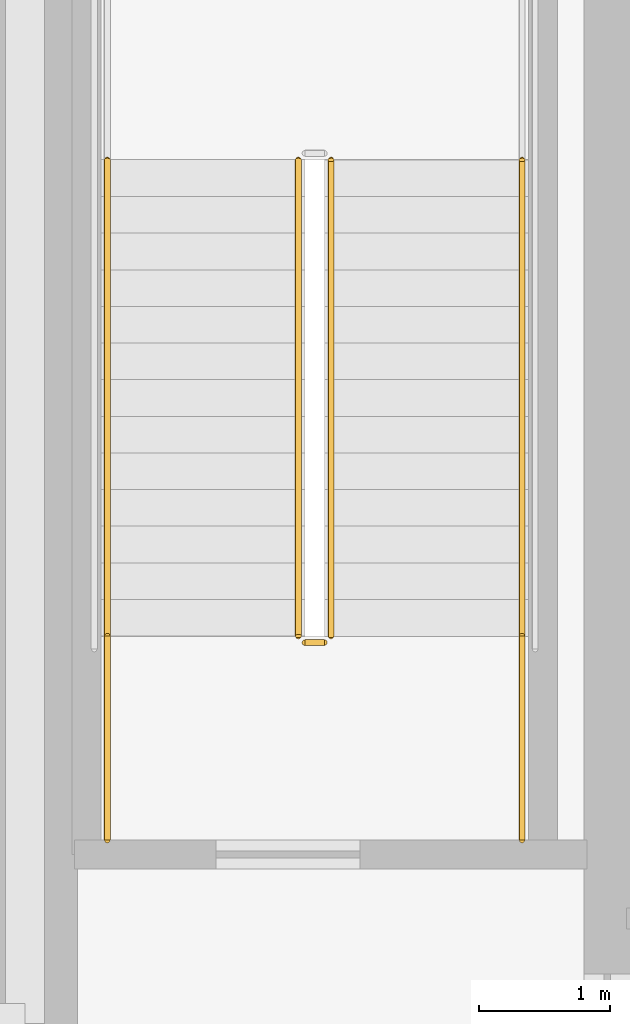
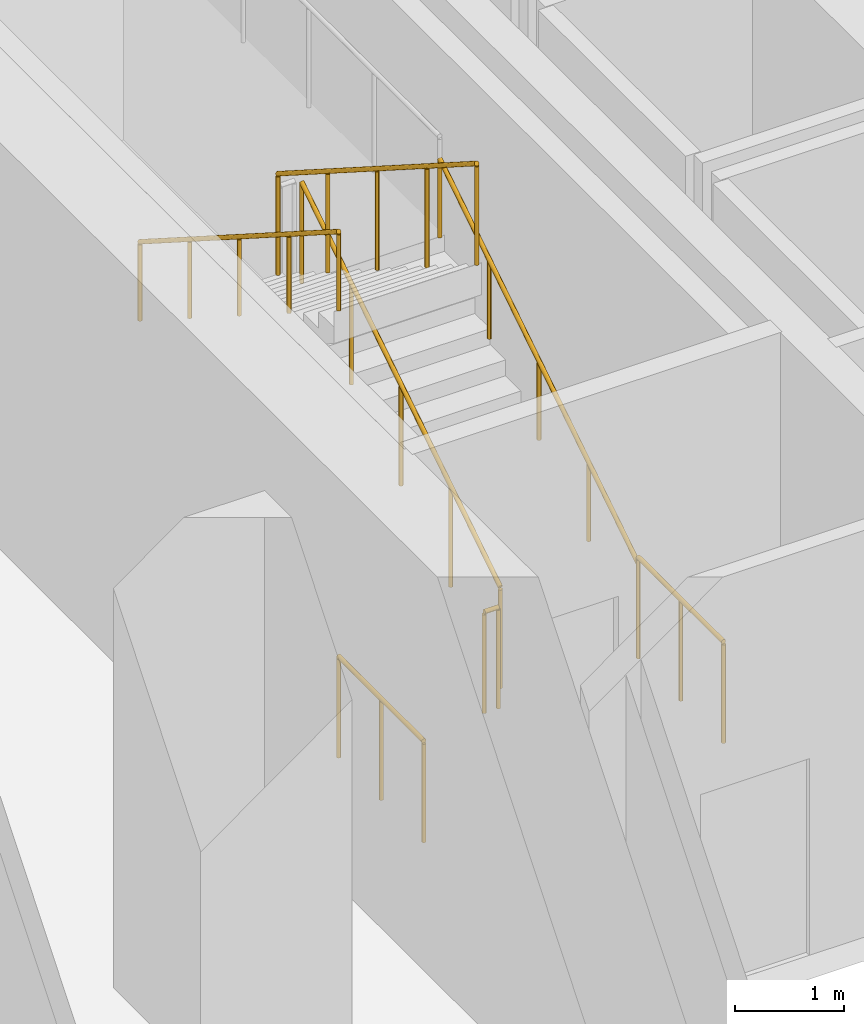
# One storey, part 24 of 32: 7 railings.
"""IFC4 building model written with IfcOpenShell, lengths in metres."""

from ifc_helpers import new_model, si_unit, direction, frame, origin, origin_2d, place, context, subcontext, project, spatial, circle, extrude, material, type_object, element, save


model = new_model("IFC4")

# Units and contexts
model_context = context("Model", 3, precision=1e-05, world=origin(), true_north=direction((0.0, 1.0)))
body_context = subcontext(model_context, "Body", "Model", "MODEL_VIEW")
ifc_project = project(units=[si_unit("LENGTHUNIT", "METRE"), si_unit("AREAUNIT", "SQUARE_METRE"), si_unit("VOLUMEUNIT", "CUBIC_METRE"), si_unit("PLANEANGLEUNIT", "RADIAN"), si_unit("MASSUNIT", "GRAM", prefix="KILO")], contexts=[model_context])

# Site, building, storey
site_placement = place(None, origin())
site = spatial("IfcSite", under=ifc_project, at=site_placement, CompositionType="ELEMENT")
building_placement = place(site_placement, origin())
building = spatial("IfcBuilding", under=site, at=building_placement, Name="Khairoan Windgate Tower", CompositionType="ELEMENT")
storey_placement = place(building_placement, frame((0.0, 0.0, 16.0)))
storey = spatial("IfcBuildingStorey", under=building, at=storey_placement, Name="L04", CompositionType="ELEMENT", Elevation=16.0)

# Railings
ifc_material_1 = material(Name="Anodised Bronze Aluminium 6063-T6", Category="aluminium")
railing_type_1 = type_object("IfcRailingType", Name="Stair Wall Handrail SHR-900", PredefinedType="HANDRAIL", material=ifc_material_1)
railing_1_placement = place(storey_placement, frame((-16.199951171875, 2.9599609375, 0.178466796875)))
element("IfcRailing", 1, at=railing_1_placement, inside=storey, type_object=railing_type_1, Name="L04 ST2 stair handrail 1", PredefinedType="HANDRAIL", context=body_context, shape_type="SweptSolid", body=[
    extrude(circle(Radius=0.02392578125, at=origin_2d()), frame((0.0, 0.0, 0.8759765625), z_axis=(0.0, 0.843127859045, 0.537713132908), x_axis=(-1.0, 0.0, 0.0)), (0.0, 0.0, 1.0), 4.3173828125),
    extrude(circle(Radius=0.02099609375, at=origin_2d()), origin(), (0.0, 0.0, 1.0), 0.851806640625),
    extrude(circle(Radius=0.02099609375, at=origin_2d()), frame((0.0, 0.91015625, 0.580322265625)), (0.0, 0.0, 1.0), 0.851806640625),
    extrude(circle(Radius=0.02099609375, at=origin_2d()), frame((0.0, 1.820068359375, 1.16064453125)), (0.0, 0.0, 1.0), 0.851806640625),
    extrude(circle(Radius=0.02099609375, at=origin_2d()), frame((0.0, 2.72998046875, 1.7412109375)), (0.0, 0.0, 1.0), 0.851806640625),
    extrude(circle(Radius=0.02099609375, at=origin_2d()), frame((0.0, 3.64013671875, 2.321533203125)), (0.0, 0.0, 1.0), 0.851806640625),
])
railing_2_placement = place(storey_placement, frame((-19.3701171875, 6.60009765625, 2.678466796875)))
element("IfcRailing", 2, at=railing_2_placement, inside=storey, type_object=railing_type_1, Name="L04 ST2 stair handrail 2", PredefinedType="HANDRAIL", context=body_context, shape_type="SweptSolid", body=[
    extrude(circle(Radius=0.02392578125, at=origin_2d()), frame((0.0, 0.0, 0.8759765625), z_axis=(0.0, -0.843127859045, 0.537713132908), x_axis=(1.0, 0.0, 0.0)), (0.0, 0.0, 1.0), 4.3173828125),
    extrude(circle(Radius=0.02099609375, at=origin_2d()), origin(), (0.0, 0.0, 1.0), 0.851806640625),
    extrude(circle(Radius=0.02099609375, at=origin_2d()), frame((0.0, -0.91015625, 0.580322265625)), (0.0, 0.0, 1.0), 0.851806640625),
    extrude(circle(Radius=0.02099609375, at=origin_2d()), frame((0.0, -1.820068359375, 1.16064453125)), (0.0, 0.0, 1.0), 0.851806640625),
    extrude(circle(Radius=0.02099609375, at=origin_2d()), frame((0.0, -2.72998046875, 1.7412109375)), (0.0, 0.0, 1.0), 0.851806640625),
    extrude(circle(Radius=0.02099609375, at=origin_2d()), frame((0.0, -3.64013671875, 2.321533203125)), (0.0, 0.0, 1.0), 0.851806640625),
])
ifc_material_2 = material(Name="Steel S355", Category="steel")
railing_type_2 = type_object("IfcRailingType", Name="Stairwell Safety Guardrail SGR-1150", PredefinedType="GUARDRAIL", material=ifc_material_2)
railing_3_placement = place(storey_placement, frame((-17.659912109375, 2.9599609375, 0.178466796875)))
element("IfcRailing", 3, at=railing_3_placement, inside=storey, type_object=railing_type_2, Name="L04 ST2 stair guard 1", PredefinedType="GUARDRAIL", context=body_context, shape_type="SweptSolid", body=[
    extrude(circle(Radius=0.02392578125, at=origin_2d()), frame((0.0, 0.0, 1.1259765625), z_axis=(0.0, 0.843127859045, 0.537713132908), x_axis=(-1.0, 0.0, 0.0)), (0.0, 0.0, 1.0), 4.3173828125),
    extrude(circle(Radius=0.02099609375, at=origin_2d()), origin(), (0.0, 0.0, 1.0), 1.101806640625),
    extrude(circle(Radius=0.02099609375, at=origin_2d()), frame((0.0, 0.91015625, 0.580322265625)), (0.0, 0.0, 1.0), 1.101806640625),
    extrude(circle(Radius=0.02099609375, at=origin_2d()), frame((0.0, 1.820068359375, 1.16064453125)), (0.0, 0.0, 1.0), 1.101806640625),
    extrude(circle(Radius=0.02099609375, at=origin_2d()), frame((0.0, 2.72998046875, 1.7412109375)), (0.0, 0.0, 1.0), 1.101806640625),
    extrude(circle(Radius=0.02099609375, at=origin_2d()), frame((0.0, 3.64013671875, 2.321533203125)), (0.0, 0.0, 1.0), 1.101806640625),
])
railing_4_placement = place(storey_placement, frame((-17.909912109375, 6.60009765625, 2.678466796875)))
element("IfcRailing", 4, at=railing_4_placement, inside=storey, type_object=railing_type_2, Name="L04 ST2 stair guard 6", PredefinedType="GUARDRAIL", context=body_context, shape_type="SweptSolid", body=[
    extrude(circle(Radius=0.02392578125, at=origin_2d()), frame((0.0, 0.0, 1.1259765625), z_axis=(0.0, -0.843127859045, 0.537713132908), x_axis=(1.0, 0.0, 0.0)), (0.0, 0.0, 1.0), 4.3173828125),
    extrude(circle(Radius=0.02099609375, at=origin_2d()), origin(), (0.0, 0.0, 1.0), 1.101806640625),
    extrude(circle(Radius=0.02099609375, at=origin_2d()), frame((0.0, -0.91015625, 0.580322265625)), (0.0, 0.0, 1.0), 1.101806640625),
    extrude(circle(Radius=0.02099609375, at=origin_2d()), frame((0.0, -1.820068359375, 1.16064453125)), (0.0, 0.0, 1.0), 1.101806640625),
    extrude(circle(Radius=0.02099609375, at=origin_2d()), frame((0.0, -2.72998046875, 1.7412109375)), (0.0, 0.0, 1.0), 1.101806640625),
    extrude(circle(Radius=0.02099609375, at=origin_2d()), frame((0.0, -3.64013671875, 2.321533203125)), (0.0, 0.0, 1.0), 1.101806640625),
])
railing_5_placement = place(storey_placement, frame((-17.7099609375, 2.909912109375, 0.0)))
element("IfcRailing", 5, at=railing_5_placement, inside=storey, type_object=railing_type_2, Name="L04 ST2 stair guard 7", PredefinedType="GUARDRAIL", context=body_context, shape_type="SweptSolid", body=[
    extrude(circle(Radius=0.02392578125, at=origin_2d()), frame((0.0, 0.0, 1.1259765625), z_axis=(-1.0, 0.0, 0.0), x_axis=(0.0, -1.0, 0.0)), (0.0, 0.0, 1.0), 0.150146484375),
    extrude(circle(Radius=0.02099609375, at=origin_2d()), origin(), (0.0, 0.0, 1.0), 1.101806640625),
    extrude(circle(Radius=0.02099609375, at=origin_2d()), frame((-0.150146484375, 0.0, 0.0)), (0.0, 0.0, 1.0), 1.101806640625),
])
for number, where, name in (
    (6, (-16.199951171875, 1.39990234375, 0.0), "L04 ST2 stair guard 8"),
    (7, (-19.3701171875, 1.39990234375, 0.0), "L04 ST2 stair guard 9"),
):
    element("IfcRailing", number, at=place(storey_placement, frame(where)), inside=storey, type_object=railing_type_2, Name=name, PredefinedType="GUARDRAIL", context=body_context, shape_type="SweptSolid", body=[
        extrude(circle(Radius=0.02392578125, at=origin_2d()), frame((0.0, 0.0, 1.1259765625), z_axis=(0.0, 1.0, 0.0), x_axis=(-1.0, 0.0, 0.0)), (0.0, 0.0, 1.0), 1.56005859375),
        extrude(circle(Radius=0.02099609375, at=origin_2d()), origin(), (0.0, 0.0, 1.0), 1.101806640625),
        extrude(circle(Radius=0.02099609375, at=origin_2d()), frame((0.0, 0.780029296875, 0.0)), (0.0, 0.0, 1.0), 1.101806640625),
        extrude(circle(Radius=0.02099609375, at=origin_2d()), frame((0.0, 1.56005859375, 0.0)), (0.0, 0.0, 1.0), 1.101806640625),
    ])

save(model, "model.ifc")
